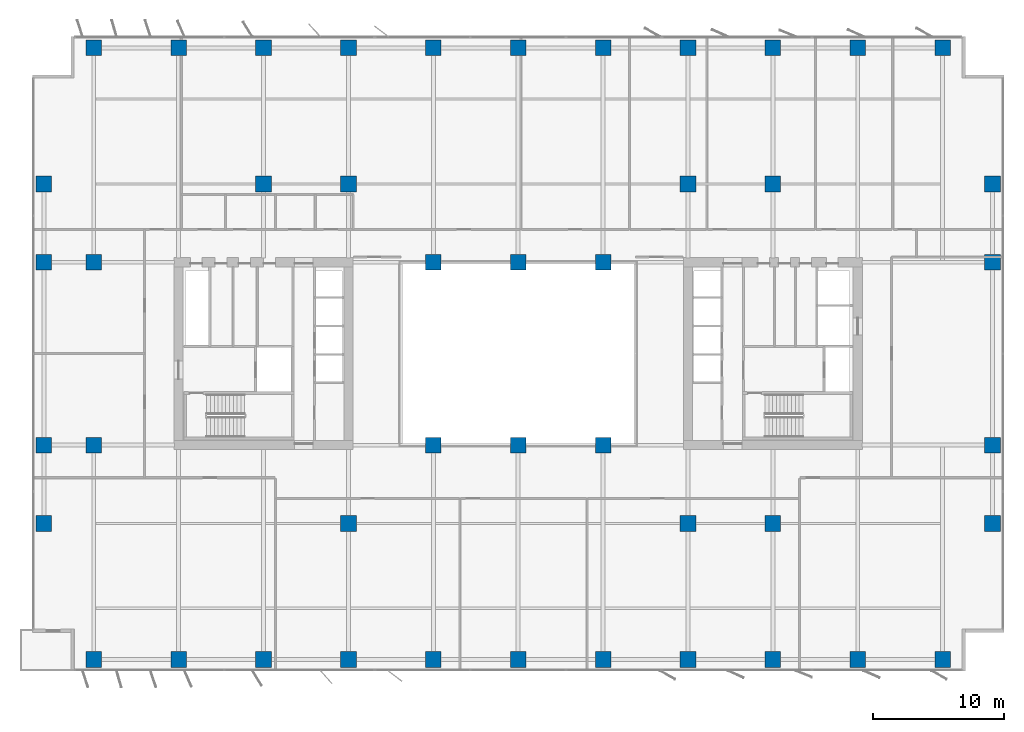
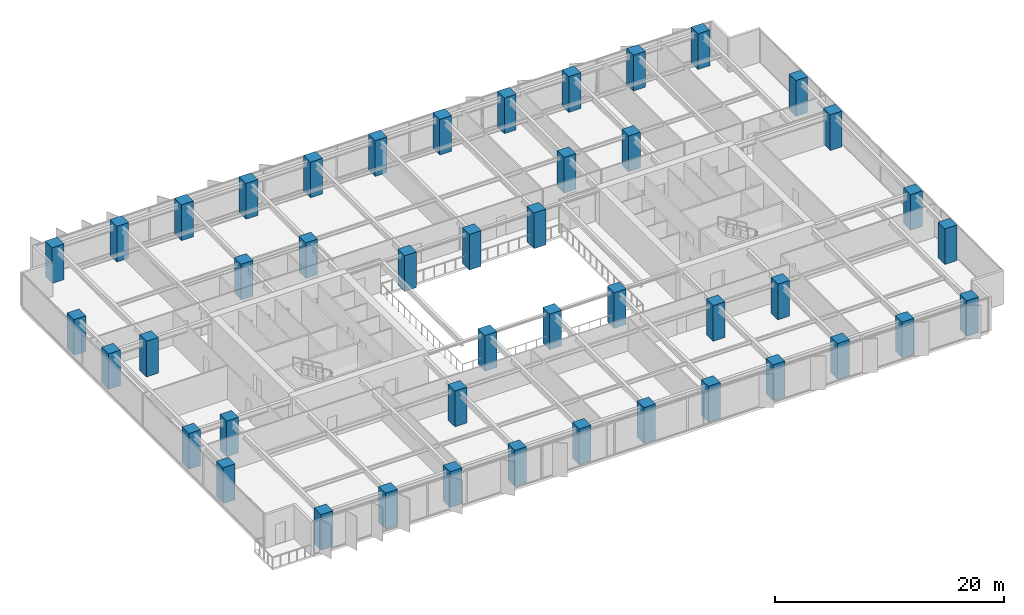
# One storey, part 1 of 20: 45 columns.
"""IFC4 building model written with IfcOpenShell, lengths in metres."""

from ifc_helpers import new_model, si_unit, direction, frame, origin, origin_2d, place, context, subcontext, project, spatial, rectangle, extrude, material, material_profile, profile_set, type_object, element, save


model = new_model("IFC4")

# Units and contexts
model_context = context("Model", 3, precision=1e-05, world=origin(), true_north=direction((0.0, 1.0)))
body_context = subcontext(model_context, "Body", "Model", "MODEL_VIEW")
ifc_project = project(units=[si_unit("LENGTHUNIT", "METRE"), si_unit("AREAUNIT", "SQUARE_METRE"), si_unit("VOLUMEUNIT", "CUBIC_METRE"), si_unit("PLANEANGLEUNIT", "RADIAN"), si_unit("MASSUNIT", "GRAM", prefix="KILO")], contexts=[model_context])

# Site, building, storey
site_placement = place(None, origin())
site = spatial("IfcSite", under=ifc_project, at=site_placement, CompositionType="ELEMENT")
building_placement = place(site_placement, origin())
building = spatial("IfcBuilding", under=site, at=building_placement, Name="Putna Gate Headquarters", CompositionType="ELEMENT")
storey_placement = place(building_placement, frame((0.0, 0.0, 105.0)))
storey = spatial("IfcBuildingStorey", under=building, at=storey_placement, Name="L25", CompositionType="ELEMENT", Elevation=105.0)

# Columns
ifc_material = material(Name="Concrete C60/75", Category="concrete")
ifc_material_profile_1 = material_profile(ifc_material, rectangle(XDim=1.199951171875, YDim=1.199951171875, at=origin_2d()), Name="Concrete C60/75")
ifc_profile_set_1 = profile_set([ifc_material_profile_1], Name="Concrete C60/75")
column_type_1 = type_object("IfcColumnType", Name="COL-RC1200-EXT", PredefinedType="COLUMN", material=ifc_profile_set_1)
for number, where, z_axis, x_axis, name in (
    (1, (6.5, 2.580078125, 0.0), (0.0, 0.0, 1.0), (1.0, 0.0, 0.0), "L25 Column CP-S6"),
    (2, (6.5, 49.419921875, 0.0), (0.0, 0.0, 1.0), (1.0, 0.0, 0.0), "L25 Column CP-N6"),
    (3, (13.0, 2.580078125, 0.0), (0.0, 0.0, 1.0), (1.0, 0.0, 0.0), "L25 Column CP-S13"),
    (4, (13.0, 49.419921875, 0.0), (0.0, 0.0, 1.0), (1.0, 0.0, 0.0), "L25 Column CP-N13"),
    (5, (19.5, 2.580078125, 0.0), (0.0, 0.0, 1.0), (1.0, 0.0, 0.0), "L25 Column CP-S19"),
    (6, (19.5, 49.419921875, 0.0), (0.0, 0.0, 1.0), (1.0, 0.0, 0.0), "L25 Column CP-N19"),
    (7, (26.0, 2.580078125, 0.0), (0.0, 0.0, 1.0), (1.0, 0.0, 0.0), "L25 Column CP-S26"),
    (8, (26.0, 49.419921875, 0.0), (0.0, 0.0, 1.0), (1.0, 0.0, 0.0), "L25 Column CP-N26"),
    (9, (32.5, 2.580078125, 0.0), (0.0, 0.0, 1.0), (1.0, 0.0, 0.0), "L25 Column CP-S32"),
    (10, (32.5, 49.419921875, 0.0), (0.0, 0.0, 1.0), (1.0, 0.0, 0.0), "L25 Column CP-N32"),
    (11, (39.0, 2.580078125, 0.0), (0.0, 0.0, 1.0), (1.0, 0.0, 0.0), "L25 Column CP-S39"),
    (12, (39.0, 49.419921875, 0.0), (0.0, 0.0, 1.0), (1.0, 0.0, 0.0), "L25 Column CP-N39"),
    (13, (45.5, 2.580078125, 0.0), (0.0, 0.0, 1.0), (1.0, 0.0, 0.0), "L25 Column CP-S45"),
    (14, (45.5, 49.419921875, 0.0), (0.0, 0.0, 1.0), (1.0, 0.0, 0.0), "L25 Column CP-N45"),
    (15, (52.0, 2.580078125, 0.0), (0.0, 0.0, 1.0), (1.0, 0.0, 0.0), "L25 Column CP-S52"),
    (16, (52.0, 49.419921875, 0.0), (0.0, 0.0, 1.0), (1.0, 0.0, 0.0), "L25 Column CP-N52"),
    (17, (58.5, 2.580078125, 0.0), (0.0, 0.0, 1.0), (1.0, 0.0, 0.0), "L25 Column CP-S58"),
    (18, (58.5, 49.419921875, 0.0), (0.0, 0.0, 1.0), (1.0, 0.0, 0.0), "L25 Column CP-N58"),
    (19, (65.0, 2.580078125, 0.0), (0.0, 0.0, 1.0), (1.0, 0.0, 0.0), "L25 Column CP-S65"),
    (20, (65.0, 49.419921875, 0.0), (0.0, 0.0, 1.0), (1.0, 0.0, 0.0), "L25 Column CP-N65"),
    (21, (71.5, 2.580078125, 0.0), (0.0, 0.0, 1.0), (1.0, 0.0, 0.0), "L25 Column CP-S71"),
    (22, (71.5, 49.419921875, 0.0), (0.0, 0.0, 1.0), (1.0, 0.0, 0.0), "L25 Column CP-N71"),
    (23, (2.679931640625, 13.0, 0.0), (0.0, 0.0, 1.0), (1.0, 0.0, 0.0), "L25 Column CP-W13"),
    (24, (75.320068359375, 13.0, 0.0), (0.0, 0.0, 1.0), (1.0, 0.0, 0.0), "L25 Column CP-E13"),
    (25, (2.679931640625, 19.0, 0.0), (0.0, 0.0, 1.0), (1.0, 0.0, 0.0), "L25 Column CP-W19"),
    (26, (75.320068359375, 19.0, 0.0), (0.0, 0.0, 1.0), (1.0, 0.0, 0.0), "L25 Column CP-E19"),
    (27, (2.679931640625, 33.0, 0.0), (0.0, 0.0, 1.0), (1.0, 0.0, 0.0), "L25 Column CP-W33"),
    (28, (75.320068359375, 33.0, 0.0), (0.0, 0.0, 1.0), (1.0, 0.0, 0.0), "L25 Column CP-E33"),
    (29, (2.679931640625, 39.0, 0.0), (0.0, 0.0, 1.0), (1.0, 0.0, 0.0), "L25 Column CP-W39"),
    (30, (75.320068359375, 39.0, 0.0), (0.0, 0.0, 1.0), (1.0, 0.0, 0.0), "L25 Column CP-E39"),
):
    element("IfcColumn", number, at=place(storey_placement, frame(where, z_axis=z_axis, x_axis=x_axis)), inside=storey, type_object=column_type_1, Name=name, PredefinedType="COLUMN", context=body_context, shape_type="SweptSolid", body=[
        extrude(rectangle(XDim=1.199951171875, YDim=1.199951171875, at=origin_2d()), origin(), (0.0, 0.0, 1.0), 3.800048828125),
    ])
ifc_material_profile_2 = material_profile(ifc_material, rectangle(XDim=1.199951171875, YDim=1.199951171875, at=origin_2d()), Name="Concrete C60/75")
ifc_profile_set_2 = profile_set([ifc_material_profile_2], Name="Concrete C60/75")
column_type_2 = type_object("IfcColumnType", Name="COL-RC1200-INT", PredefinedType="COLUMN", material=ifc_profile_set_2)
for number, where, z_axis, x_axis, name in (
    (31, (19.5, 39.0, 0.0), (0.0, 0.0, 1.0), (1.0, 0.0, 0.0), "L25 Column CSI-WN"),
    (32, (58.5, 13.0, 0.0), (0.0, 0.0, 1.0), (1.0, 0.0, 0.0), "L25 Column CSI-ES"),
    (33, (58.5, 39.0, 0.0), (0.0, 0.0, 1.0), (1.0, 0.0, 0.0), "L25 Column CSI-EN"),
    (34, (6.5, 19.0, 0.0), (0.0, 0.0, 1.0), (1.0, 0.0, 0.0), "L25 Column CSI-WM"),
    (35, (6.5, 33.0, 0.0), (0.0, 0.0, 1.0), (1.0, 0.0, 0.0), "L25 Column CSI-WNW"),
    (36, (32.5, 19.0, 0.0), (0.0, 0.0, 1.0), (1.0, 0.0, 0.0), "L25 Column CAI-S32"),
    (37, (32.5, 33.0, 0.0), (0.0, 0.0, 1.0), (1.0, 0.0, 0.0), "L25 Column CAI-N32"),
    (38, (39.0, 19.0, 0.0), (0.0, 0.0, 1.0), (1.0, 0.0, 0.0), "L25 Column CAI-S39"),
    (39, (39.0, 33.0, 0.0), (0.0, 0.0, 1.0), (1.0, 0.0, 0.0), "L25 Column CAI-N39"),
    (40, (45.5, 19.0, 0.0), (0.0, 0.0, 1.0), (1.0, 0.0, 0.0), "L25 Column CAI-S45"),
    (41, (45.5, 33.0, 0.0), (0.0, 0.0, 1.0), (1.0, 0.0, 0.0), "L25 Column CAI-N45"),
    (42, (26.0, 13.0, 0.0), (0.0, 0.0, 1.0), (1.0, 0.0, 0.0), "L25 Column CAP-WS"),
    (43, (26.0, 39.0, 0.0), (0.0, 0.0, 1.0), (1.0, 0.0, 0.0), "L25 Column CAP-WN"),
    (44, (52.0, 13.0, 0.0), (0.0, 0.0, 1.0), (1.0, 0.0, 0.0), "L25 Column CAP-ES"),
    (45, (52.0, 39.0, 0.0), (0.0, 0.0, 1.0), (1.0, 0.0, 0.0), "L25 Column CAP-EN"),
):
    element("IfcColumn", number, at=place(storey_placement, frame(where, z_axis=z_axis, x_axis=x_axis)), inside=storey, type_object=column_type_2, Name=name, PredefinedType="COLUMN", context=body_context, shape_type="SweptSolid", body=[
        extrude(rectangle(XDim=1.199951171875, YDim=1.199951171875, at=origin_2d()), origin(), (0.0, 0.0, 1.0), 3.800048828125),
    ])

save(model, "model.ifc")
